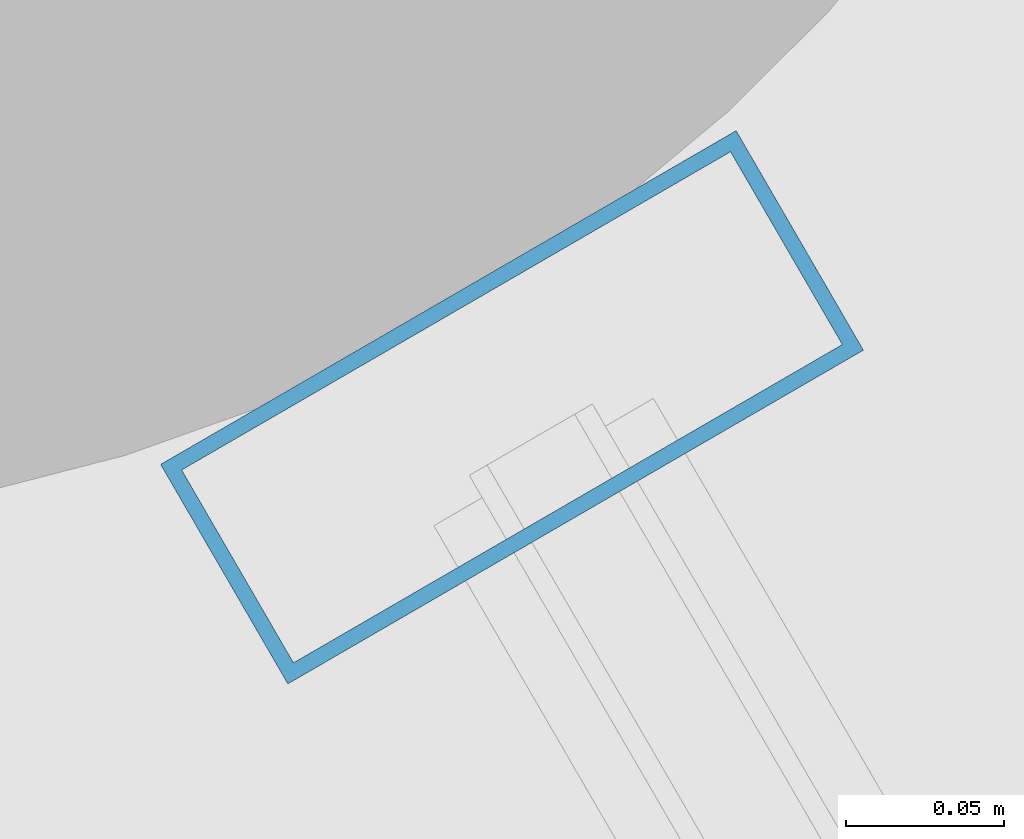
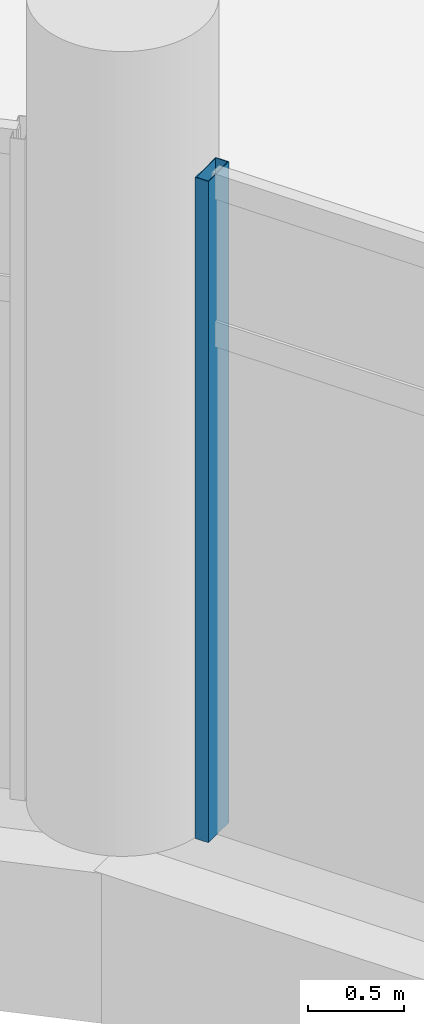
# One storey, part 80 of 184: 1 member, 1 element without a shape of its own.
"""IFC4 building model written with IfcOpenShell, lengths in metres."""

from ifc_helpers import new_model, si_unit, direction, frame, origin, origin_2d, place, context, subcontext, project, spatial, hollow_rectangle, extrude, material, layer, layer_set, material_profile, profile_set, type_object, element, aggregate, save


model = new_model("IFC4")

# Units and contexts
model_context = context("Model", 3, precision=1e-05, world=origin(), true_north=direction((0.0, 1.0)))
body_context = subcontext(model_context, "Body", "Model", "MODEL_VIEW")
ifc_project = project(units=[si_unit("LENGTHUNIT", "METRE"), si_unit("AREAUNIT", "SQUARE_METRE"), si_unit("VOLUMEUNIT", "CUBIC_METRE"), si_unit("PLANEANGLEUNIT", "RADIAN"), si_unit("MASSUNIT", "GRAM", prefix="KILO")], contexts=[model_context])

# Site, building, storey
site_placement = place(None, origin())
site = spatial("IfcSite", under=ifc_project, at=site_placement, CompositionType="ELEMENT")
building_placement = place(site_placement, origin())
building = spatial("IfcBuilding", under=site, at=building_placement, Name="Kazemori Nagisa Stadium", CompositionType="ELEMENT")
storey_placement = place(building_placement, frame((0.0, 0.0, 10.5400390625)))
storey = spatial("IfcBuildingStorey", under=building, at=storey_placement, Name="L02", CompositionType="ELEMENT", Elevation=10.5400390625)

# Curtain wall, member
ifc_material_1 = material(Name="Anodised aluminium 6063-T5", Category="aluminium")
ifc_layer = layer(ifc_material_1, 0.2099609375, Name="Anodised aluminium 6063-T5", Category="aluminium")
ifc_layer_set = layer_set([ifc_layer], Name="Anodised aluminium 6063-T5")
curtain_wall_type = type_object("IfcCurtainWallType", Name="CW_L02B_71", PredefinedType="USERDEFINED", material=ifc_layer_set)
curtain_wall_placement = place(storey_placement, origin())
curtain_wall = element("IfcCurtainWall", 1, at=curtain_wall_placement, inside=storey, type_object=curtain_wall_type, Name="Unitised curtain wall CW-L02B-71 L02", ObjectType="UNITISED CURTAIN WALL", PredefinedType="USERDEFINED")
ifc_material_2 = material(Name="Aluminium 6063-T5 anodised", Category="aluminium")
ifc_material_profile = material_profile(ifc_material_2, hollow_rectangle(XDim=0.080078125, YDim=0.2099609375, WallThickness=0.0048828125, at=origin_2d()), Name="ALU-MULL-80x210x5")
ifc_profile_set = profile_set([ifc_material_profile], Name="Aluminium 6063-T5 anodised")
member_type = type_object("IfcMemberType", Name="Mullion_M02", PredefinedType="MULLION", material=ifc_profile_set)
member_placement = place(storey_placement, frame((180.570068359375, 142.904541015625, 0.0), z_axis=(0.0, 0.0, 1.0), x_axis=(-0.501611590054, 0.865092950337, 0.0)))
member = element("IfcMember", 2, at=member_placement, type_object=member_type, Name="Curtain wall mullion CW-L02B-71-M4", PredefinedType="MULLION", context=body_context, shape_type="SweptSolid", body=[
    extrude(hollow_rectangle(XDim=0.080078125, YDim=0.2099609375, WallThickness=0.0048828125, at=origin_2d()), origin(), (0.0, 0.0, 1.0), 4.18994140625),
])
aggregate(curtain_wall, [member])

save(model, "model.ifc")
